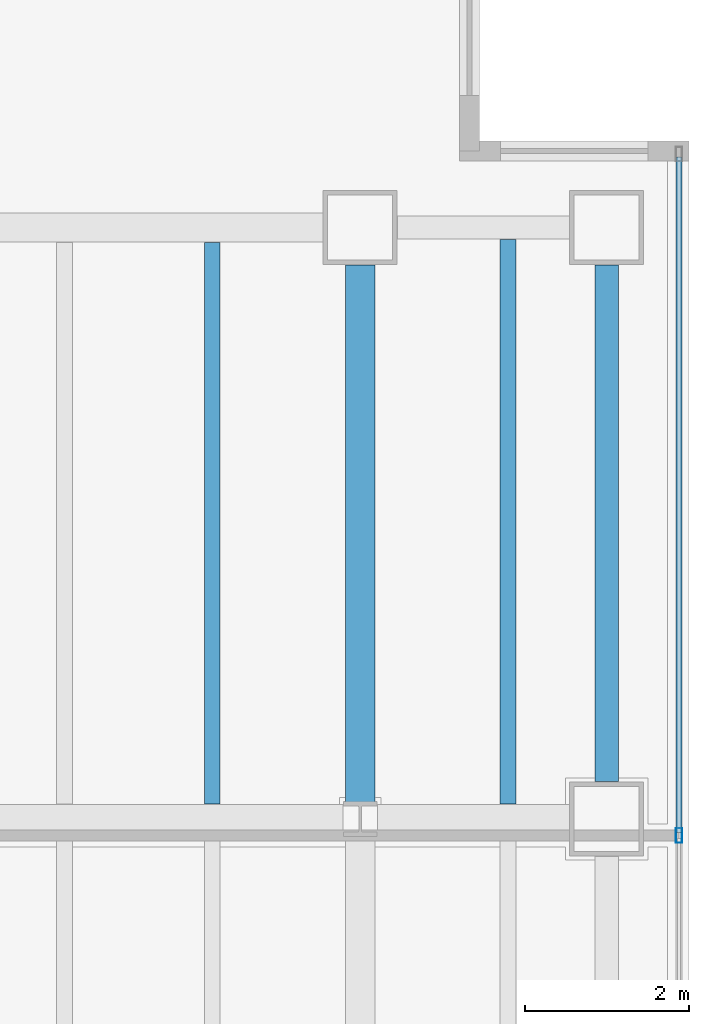
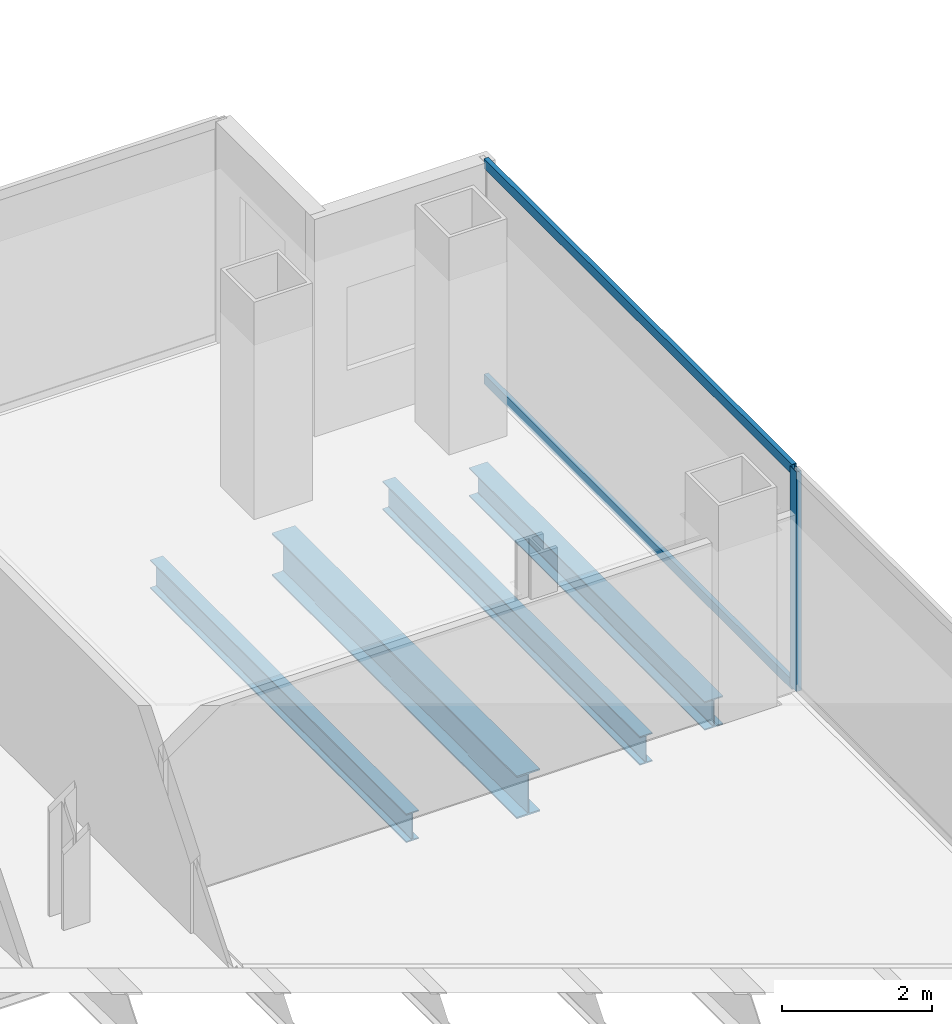
# One storey, part 13 of 23: 4 beams, 3 members, 1 element without a shape of its own.
"""IFC4 building model written with IfcOpenShell, lengths in metres."""

from ifc_helpers import new_model, si_unit, direction, frame, origin, origin_2d, place, context, subcontext, project, spatial, hollow_rectangle, i_section, extrude, material, material_profile, profile_set, type_object, element, aggregate, save


model = new_model("IFC4")

# Units and contexts
model_context = context("Model", 3, precision=1e-05, world=origin(), true_north=direction((0.0, 1.0)))
body_context = subcontext(model_context, "Body", "Model", "MODEL_VIEW")
ifc_project = project(units=[si_unit("LENGTHUNIT", "METRE"), si_unit("AREAUNIT", "SQUARE_METRE"), si_unit("VOLUMEUNIT", "CUBIC_METRE"), si_unit("PLANEANGLEUNIT", "RADIAN"), si_unit("MASSUNIT", "GRAM", prefix="KILO")], contexts=[model_context])

# Site, building, storey
site_placement = place(None, origin())
site = spatial("IfcSite", under=ifc_project, at=site_placement, CompositionType="ELEMENT")
building_placement = place(site_placement, origin())
building = spatial("IfcBuilding", under=site, at=building_placement, Name="Cobrela Telecom Tower", CompositionType="ELEMENT")
storey_placement = place(building_placement, frame((0.0, 0.0, 129.14990234375)))
storey = spatial("IfcBuildingStorey", under=building, at=storey_placement, Name="L32", CompositionType="ELEMENT", Elevation=129.14990234375)

# Beams
ifc_material_1 = material(Name="Steel ASTM A992 Grade 50", Category="steel")
ifc_material_profile_1 = material_profile(ifc_material_1, i_section(OverallWidth=0.35595703125, OverallDepth=0.696044921875, WebThickness=0.015380859375, FlangeThickness=0.024658203125, FilletRadius=0.01806640625, at=origin_2d()), Name="W27X146")
ifc_profile_set_1 = profile_set([ifc_material_profile_1], Name="Steel ASTM A992 Grade 50")
beam_type_1 = type_object("IfcBeamType", Name="BM-GIRD-05", PredefinedType="USERDEFINED", material=ifc_profile_set_1)
beam_1_placement = place(storey_placement, frame((43.199951171875, 14.609619140625, -0.617919921875), z_axis=(0.0, 1.0, 0.0), x_axis=(-1.0, 0.0, 0.0)))
element("IfcBeam", 1, at=beam_1_placement, inside=storey, type_object=beam_type_1, Name="L32 Primary Girder Y54", ObjectType="GIRDER", PredefinedType="USERDEFINED", context=body_context, shape_type="SweptSolid", body=[
    extrude(i_section(OverallWidth=0.35595703125, OverallDepth=0.696044921875, WebThickness=0.015380859375, FlangeThickness=0.024658203125, FilletRadius=0.01806640625, at=origin_2d()), origin(), (0.0, 0.0, 1.0), 6.535400390625),
])
ifc_material_profile_2 = material_profile(ifc_material_1, i_section(OverallWidth=0.193115234375, OverallDepth=0.467041015625, WebThickness=0.011474609375, FlangeThickness=0.01904296875, FilletRadius=0.012939453125, at=origin_2d()), Name="W18X65")
ifc_profile_set_2 = profile_set([ifc_material_profile_2], Name="Steel ASTM A992 Grade 50")
beam_type_2 = type_object("IfcBeamType", Name="BM-JOIST-03", PredefinedType="JOIST", material=ifc_profile_set_2)
beam_2_placement = place(storey_placement, frame((41.39990234375, 14.5830078125, -0.50341796875), z_axis=(0.0, 1.0, 0.0), x_axis=(-1.0, 0.0, 0.0)))
element("IfcBeam", 2, at=beam_2_placement, inside=storey, type_object=beam_type_2, Name="L32 Secondary Composite Floor Beam J38", PredefinedType="JOIST", context=body_context, shape_type="SweptSolid", body=[
    extrude(i_section(OverallWidth=0.193115234375, OverallDepth=0.467041015625, WebThickness=0.011474609375, FlangeThickness=0.01904296875, FilletRadius=0.012939453125, at=origin_2d()), origin(), (0.0, 0.0, 1.0), 6.833984375),
])
beam_3_placement = place(storey_placement, frame((45.0, 14.5830078125, -0.50341796875), z_axis=(0.0, 1.0, 0.0), x_axis=(-1.0, 0.0, 0.0)))
element("IfcBeam", 3, at=beam_3_placement, inside=storey, type_object=beam_type_2, Name="L32 Secondary Composite Floor Beam J40", PredefinedType="JOIST", context=body_context, shape_type="SweptSolid", body=[
    extrude(i_section(OverallWidth=0.193115234375, OverallDepth=0.467041015625, WebThickness=0.011474609375, FlangeThickness=0.01904296875, FilletRadius=0.012939453125, at=origin_2d()), origin(), (0.0, 0.0, 1.0), 6.87109375),
])
ifc_material_profile_3 = material_profile(ifc_material_1, i_section(OverallWidth=0.281982421875, OverallDepth=0.467041015625, WebThickness=0.01220703125, FlangeThickness=0.01953125, FilletRadius=0.012939453125, at=origin_2d()), Name="W18X86")
ifc_profile_set_3 = profile_set([ifc_material_profile_3], Name="Steel ASTM A992 Grade 50")
beam_type_3 = type_object("IfcBeamType", Name="BM-SPAND-04", PredefinedType="SPANDREL", material=ifc_profile_set_3)
beam_4_placement = place(storey_placement, frame((46.199951171875, 14.85498046875, -0.50341796875), z_axis=(0.0, 1.0, 0.0), x_axis=(-1.0, 0.0, 0.0)))
element("IfcBeam", 4, at=beam_4_placement, inside=storey, type_object=beam_type_3, Name="L32 Perimeter Spandrel Y56", PredefinedType="SPANDREL", context=body_context, shape_type="SweptSolid", body=[
    extrude(i_section(OverallWidth=0.281982421875, OverallDepth=0.467041015625, WebThickness=0.01220703125, FlangeThickness=0.01953125, FilletRadius=0.012939453125, at=origin_2d()), origin(), (0.0, 0.0, 1.0), 6.2900390625),
])

# Curtain wall, members
ifc_material_2 = material(Name="Anodized Bronze Aluminium 6063-T6", Category="aluminium")
curtain_wall_type = type_object("IfcCurtainWallType", Name="CW-SYS-TEL", PredefinedType="USERDEFINED", material=ifc_material_2)
curtain_wall_placement = place(storey_placement, origin())
curtain_wall = element("IfcCurtainWall", 5, at=curtain_wall_placement, inside=storey, type_object=curtain_wall_type, Name="L32 Unitised Bronze Curtain Wall 14", ObjectType="UNITISED CURTAIN WALL", PredefinedType="USERDEFINED")
ifc_material_profile_4 = material_profile(ifc_material_2, hollow_rectangle(XDim=0.074951171875, YDim=0.179931640625, WallThickness=0.00390625, at=origin_2d()), Name="ALU 75x180x4")
ifc_profile_set_4 = profile_set([ifc_material_profile_4], Name="Anodized Bronze Aluminium 6063-T6")
member_type_1 = type_object("IfcMemberType", Name="CW-SYS-TEL-MUL", PredefinedType="MULLION", material=ifc_profile_set_4)
member_1_placement = place(storey_placement, frame((47.080078125, 14.199951171875, 0.0), z_axis=(0.0, 0.0, 1.0), x_axis=(1.0, 0.0, 0.0)))
member_1 = element("IfcMember", 6, at=member_1_placement, type_object=member_type_1, Name="CW-TEL mullion 2", PredefinedType="MULLION", context=body_context, shape_type="SweptSolid", body=[
    extrude(hollow_rectangle(XDim=0.074951171875, YDim=0.179931640625, WallThickness=0.00390625, at=origin_2d()), origin(), (0.0, 0.0, 1.0), 3.580078125),
])
ifc_material_profile_5 = material_profile(ifc_material_2, hollow_rectangle(XDim=0.070068359375, YDim=0.159912109375, WallThickness=0.00390625, at=origin_2d()), Name="ALU 70x160x4")
ifc_profile_set_5 = profile_set([ifc_material_profile_5], Name="Anodized Bronze Aluminium 6063-T6")
member_type_2 = type_object("IfcMemberType", Name="CW-SYS-TEL-TRN", PredefinedType="USERDEFINED", material=ifc_profile_set_5)
member_2_placement = place(storey_placement, frame((47.080078125, 22.455078125, 0.03515625), z_axis=(0.0, -1.0, 0.0), x_axis=(1.0, 0.0, 0.0)))
member_2 = element("IfcMember", 7, at=member_2_placement, type_object=member_type_2, Name="CW-TEL transom 1.1", ObjectType="TRANSOM", PredefinedType="USERDEFINED", context=body_context, shape_type="SweptSolid", body=[
    extrude(hollow_rectangle(XDim=0.070068359375, YDim=0.159912109375, WallThickness=0.00390625, at=origin_2d()), origin(), (0.0, 0.0, 1.0), 8.217529296875),
])
member_3_placement = place(storey_placement, frame((47.080078125, 22.455078125, 3.545166015625), z_axis=(0.0, -1.0, 0.0), x_axis=(1.0, 0.0, 0.0)))
member_3 = element("IfcMember", 8, at=member_3_placement, type_object=member_type_2, Name="CW-TEL transom 1.2", ObjectType="TRANSOM", PredefinedType="USERDEFINED", context=body_context, shape_type="SweptSolid", body=[
    extrude(hollow_rectangle(XDim=0.070068359375, YDim=0.159912109375, WallThickness=0.00390625, at=origin_2d()), origin(), (0.0, 0.0, 1.0), 8.217529296875),
])
aggregate(curtain_wall, [member_1, member_2, member_3])

save(model, "model.ifc")
